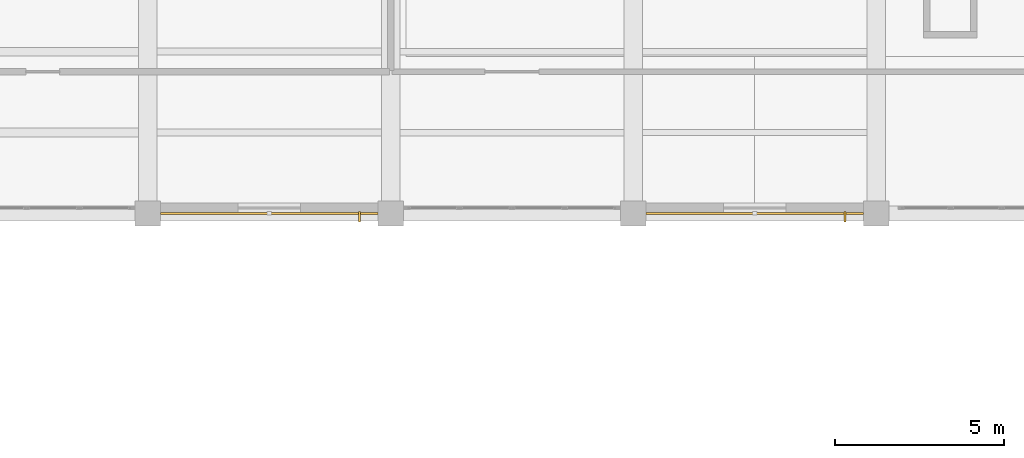
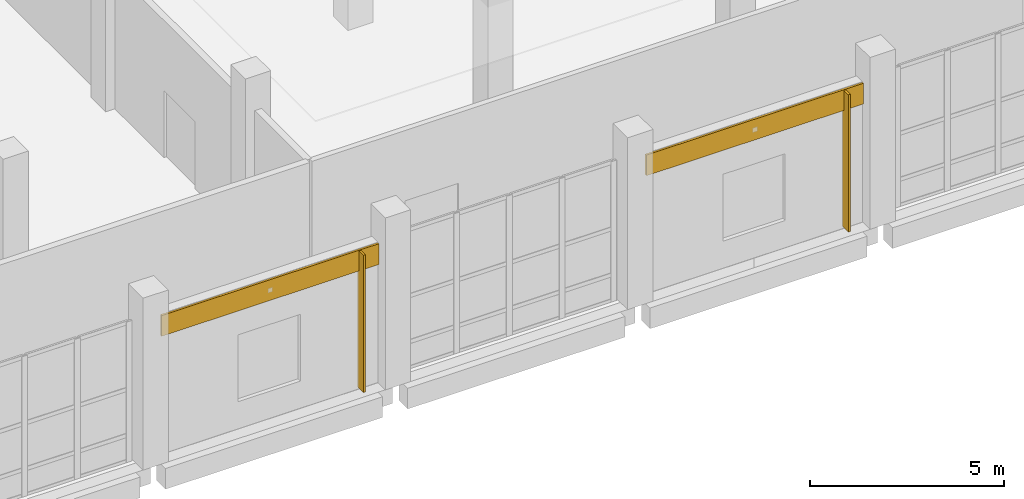
# One storey, part 127 of 137: 2 coverings, 2 shading devices.
"""IFC4 building model written with IfcOpenShell, lengths in metres."""

import ifcopenshell
import ifcopenshell.guid

model = None  # the IFC model being written
_history = None  # IfcOwnerHistory: only IFC2X3 demands one
_inside = {}  # id of a spatial element -> (the spatial element, [elements in it])
_under = {}  # id of a project, library or spatial element -> (it, [spatial elements below it])
_declared = {}  # id of a project -> (the project, [libraries it declares])
_typed = {}  # id of a type object -> (the type object, [elements of that type])
_made_of = {}  # id of a material, layer set ... -> (it, [elements and type objects made of it])


def new_model(schema):
    """Start an empty IFC model of exactly this schema.

    Asked for "IFC4X3", IfcOpenShell would pick the latest addendum, in which some entities
    have other attributes; the version numbers below select the first issue.
    IFC2X3 requires an IfcOwnerHistory on every rooted entity: one is made here for all.
    """
    global model, _history
    if schema == "IFC4X3":
        model = ifcopenshell.file(schema_version=(4, 3, 0, 0))
    else:
        model = ifcopenshell.file(schema=schema)
    _inside.clear()
    _under.clear()
    _declared.clear()
    _typed.clear()
    _made_of.clear()
    _history = None
    if model.schema == "IFC2X3":
        org = make("IfcOrganization", Name="unknown")
        user = make(
            "IfcPersonAndOrganization",
            ThePerson=make("IfcPerson", FamilyName="unknown"),
            TheOrganization=org,
        )
        app = make(
            "IfcApplication",
            ApplicationDeveloper=org,
            Version="unknown",
            ApplicationFullName="unknown",
            ApplicationIdentifier="unknown",
        )
        _history = make(
            "IfcOwnerHistory",
            OwningUser=user,
            OwningApplication=app,
            ChangeAction="ADDED",
            CreationDate=0,
        )
    return model


def make(cls, **values):
    """One entity of the class cls with the attributes given. An attribute that is None is left unset."""
    return model.create_entity(
        cls, **{name: value for name, value in values.items() if value is not None}
    )


def rooted(cls, **values):
    """An entity with a GlobalId (a new one), such as an element, a storey or a relation."""
    return make(cls, GlobalId=ifcopenshell.guid.new(), OwnerHistory=_history, **values)


def si_unit(unit_type, name, prefix=None):
    """IfcSIUnit, for example si_unit("LENGTHUNIT", "METRE", prefix="MILLI")."""
    return make("IfcSIUnit", UnitType=unit_type, Prefix=prefix, Name=name)


def assignment(units):
    """IfcUnitAssignment: the units of a project."""
    return None if units is None else make("IfcUnitAssignment", Units=units)


def point(xyz):
    """IfcCartesianPoint."""
    return None if xyz is None else make("IfcCartesianPoint", Coordinates=xyz)


def direction(xyz):
    """IfcDirection."""
    return None if xyz is None else make("IfcDirection", DirectionRatios=xyz)


def frame(location, z_axis=None, x_axis=None):
    """IfcAxis2Placement3D, a coordinate frame: its origin and axes. An axis left out is left unset."""
    return make(
        "IfcAxis2Placement3D",
        Location=point(location),
        Axis=direction(z_axis),
        RefDirection=direction(x_axis),
    )


def frame_2d(location, x_axis=None):
    """IfcAxis2Placement2D, a coordinate frame in the plane: its origin and x axis."""
    return make(
        "IfcAxis2Placement2D", Location=point(location), RefDirection=direction(x_axis)
    )


def origin():
    """The frame at (0, 0, 0) with its axes left unset."""
    return frame((0.0, 0.0, 0.0))


def origin_2d():
    """The frame at (0, 0) in the plane with its x axis left unset."""
    return frame_2d((0.0, 0.0))


def place(relative_to, where):
    """IfcLocalPlacement: puts the frame where relative to a parent placement (None: the world)."""
    return make(
        "IfcLocalPlacement", PlacementRelTo=relative_to, RelativePlacement=where
    )


def context(
    kind, dimensions, precision=None, world=None, true_north=None, identifier=None
):
    """IfcGeometricRepresentationContext, for example the 3D "Model" context."""
    return make(
        "IfcGeometricRepresentationContext",
        ContextIdentifier=identifier,
        ContextType=kind,
        CoordinateSpaceDimension=dimensions,
        Precision=precision,
        WorldCoordinateSystem=world,
        TrueNorth=true_north,
    )


def subcontext(parent, identifier, kind, view, scale=None):
    """IfcGeometricRepresentationSubContext, for example "Body" below "Model"."""
    return make(
        "IfcGeometricRepresentationSubContext",
        ContextIdentifier=identifier,
        ContextType=kind,
        ParentContext=parent,
        TargetScale=scale,
        TargetView=view,
    )


def project(units=None, contexts=None):
    """IfcProject with its units and contexts."""
    return rooted(
        "IfcProject",
        Name="project",
        RepresentationContexts=contexts,
        UnitsInContext=assignment(units),
    )


def spatial(cls, under=None, at=None, **own):
    """A site, building, storey or space (cls), placed at a placement, below another one or the project."""
    s = rooted(cls, ObjectPlacement=at, **own)
    if under is not None:
        _under.setdefault(under.id(), (under, []))[1].append(s)
    return s


def profile(cls, at=None, kind="AREA", **sizes):
    """A parametric profile (cls). Its sizes go by their IFC names, for example OverallWidth=200.0."""
    return make(cls, ProfileType=kind, Position=at, **sizes)


def rectangle(**sizes):
    """IfcRectangleProfileDef."""
    return profile("IfcRectangleProfileDef", **sizes)


def extrude(swept, where, along, depth):
    """IfcExtrudedAreaSolid: the profile swept, set in the frame where, extruded along a direction by depth."""
    return make(
        "IfcExtrudedAreaSolid",
        SweptArea=swept,
        Position=where,
        ExtrudedDirection=direction(along),
        Depth=depth,
    )


def shape(context_of_items, identifier, shape_type, items):
    """IfcShapeRepresentation: the items that make up one representation, for example the "Body"."""
    return make(
        "IfcShapeRepresentation",
        ContextOfItems=context_of_items,
        RepresentationIdentifier=identifier,
        RepresentationType=shape_type,
        Items=items,
    )


def material(Name=None, Category=None):
    """IfcMaterial."""
    return make("IfcMaterial", Name=Name, Category=Category)


def layer(
    of_material, thickness, ventilated=None, Name=None, Category=None, Priority=None
):
    """IfcMaterialLayer: one layer of a wall or slab, of a material (None: an air gap)."""
    return make(
        "IfcMaterialLayer",
        Material=of_material,
        LayerThickness=thickness,
        IsVentilated=ventilated,
        Name=Name,
        Category=Category,
        Priority=Priority,
    )


def layer_set(layers, Name=None):
    """IfcMaterialLayerSet."""
    return make("IfcMaterialLayerSet", MaterialLayers=layers, LayerSetName=Name)


def made_of(thing, what):
    """Note that an element or type object is made of a material, layer set ...; save() writes the relation."""
    if what is not None:
        _made_of.setdefault(what.id(), (what, []))[1].append(thing)
    return thing


def type_object(cls, material=None, **own):
    """A type object (cls), such as IfcWallType, which elements share."""
    return made_of(rooted(cls, **own), material)


def element(
    cls,
    number,
    at=None,
    inside=None,
    cuts=None,
    type_object=None,
    material=None,
    context=None,
    identifier="Body",
    shape_type=None,
    held_by="IfcProductDefinitionShape",
    body=None,
    shapes=None,
    **own,
):
    """One element of the class cls, such as IfcWall. Its Tag is "e" and its number.

    at: its placement. inside: the storey or other place that contains it. cuts: it is an
    opening in that element (IfcRelVoidsElement). A single representation is given by context,
    identifier, shape_type and body (its items); several are given by shapes. held_by: the class
    of the entity that holds the representations. save() writes the other relations.
    """
    e = rooted(cls, Tag="e%d" % number, ObjectPlacement=at, **own)
    if body is not None:
        shapes = [shape(context, identifier, shape_type, body)]
    if shapes is not None:
        e.Representation = make(held_by, Representations=shapes)
    if inside is not None:
        _inside.setdefault(inside.id(), (inside, []))[1].append(e)
    if cuts is not None:
        rooted(
            "IfcRelVoidsElement", RelatingBuildingElement=cuts, RelatedOpeningElement=e
        )
    if type_object is not None:
        _typed.setdefault(type_object.id(), (type_object, []))[1].append(e)
    return made_of(e, material)


def aggregate(whole, parts):
    """IfcRelAggregates: a whole, such as a stair, and the parts it consists of."""
    return rooted("IfcRelAggregates", RelatingObject=whole, RelatedObjects=parts)


def save(model, path):
    """Write the relations noted so far, then the file.

    IfcRelAggregates (storeys below a building ...), IfcRelContainedInSpatialStructure (elements
    in a storey), IfcRelDefinesByType, IfcRelAssociatesMaterial and IfcRelDeclares: one each for
    every whole, place, type object, material and project.
    """
    for whole, parts in _under.values():
        aggregate(whole, parts)
    for where, things in _inside.values():
        rooted(
            "IfcRelContainedInSpatialStructure",
            RelatedElements=things,
            RelatingStructure=where,
        )
    for kind, things in _typed.values():
        rooted("IfcRelDefinesByType", RelatedObjects=things, RelatingType=kind)
    for what, things in _made_of.values():
        rooted("IfcRelAssociatesMaterial", RelatedObjects=things, RelatingMaterial=what)
    for by, libraries in _declared.values():
        rooted("IfcRelDeclares", RelatingContext=by, RelatedDefinitions=libraries)
    model.write(path)


model = new_model("IFC4")

# Units and contexts
model_context = context("Model", 3, precision=1e-05, world=origin(), true_north=direction((0.0, 1.0)))
body_context = subcontext(model_context, "Body", "Model", "MODEL_VIEW")
ifc_project = project(units=[si_unit("LENGTHUNIT", "METRE"), si_unit("AREAUNIT", "SQUARE_METRE"), si_unit("VOLUMEUNIT", "CUBIC_METRE"), si_unit("PLANEANGLEUNIT", "RADIAN"), si_unit("MASSUNIT", "GRAM", prefix="KILO")], contexts=[model_context])

# Site, building, storey
site_placement = place(None, origin())
site = spatial("IfcSite", under=ifc_project, at=site_placement, CompositionType="ELEMENT")
building_placement = place(site_placement, origin())
building = spatial("IfcBuilding", under=site, at=building_placement, Name="Kalmorath City Hall", CompositionType="ELEMENT")
storey_placement = place(building_placement, origin())
storey = spatial("IfcBuildingStorey", under=building, at=storey_placement, Name="L00", CompositionType="ELEMENT", Elevation=0.0)

# Shading devices
ifc_material_1 = material(Name="Bronze anodised aluminium", Category="aluminium")
ifc_layer_1 = layer(ifc_material_1, 0.06005859375)
ifc_layer_set_1 = layer_set([ifc_layer_1], Name="Bronze anodised aluminium")
shading_device_type = type_object("IfcShadingDeviceType", Name="Bronze vertical solar fin 320", PredefinedType="USERDEFINED", material=ifc_layer_set_1)
for number, where, z_axis, x_axis, name in (
    (1, (56.674072265625, 93.5, 0.050048828125), (0.0, 0.0, 1.0), (-1.0, 0.0, 0.0), "L00 bronze solar fin #75"),
    (2, (42.27392578125, 93.5, 0.050048828125), (0.0, 0.0, 1.0), (-1.0, 0.0, 0.0), "L00 bronze solar fin #76"),
):
    element("IfcShadingDevice", number, at=place(storey_placement, frame(where, z_axis=z_axis, x_axis=x_axis)), inside=storey, type_object=shading_device_type, Name=name, ObjectType="FIN", PredefinedType="USERDEFINED", context=body_context, shape_type="SweptSolid", body=[
        extrude(rectangle(XDim=0.06005859375, YDim=0.320068359375, at=origin_2d()), origin(), (0.0, 0.0, 1.0), 4.31103515625),
    ])

# Coverings
ifc_material_2 = material(Name="Volcanic basalt stone cladding", Category="masonry")
ifc_layer_2 = layer(ifc_material_2, 0.06005859375)
ifc_layer_set_2 = layer_set([ifc_layer_2], Name="Volcanic basalt stone cladding")
covering_type = type_object("IfcCoveringType", Name="Volcanic basalt stone rainscreen cladding", PredefinedType="CLADDING", material=ifc_layer_set_2)
for number, where, z_axis, x_axis, name in (
    (3, (54.0, 93.594970703125, 3.736083984375), (0.0, 0.0, 1.0), (-1.0, 0.0, 0.0), "L00 basalt spandrel cladding #18"),
    (4, (39.60009765625, 93.594970703125, 3.736083984375), (0.0, 0.0, 1.0), (-1.0, 0.0, 0.0), "L00 basalt spandrel cladding #19"),
):
    element("IfcCovering", number, at=place(storey_placement, frame(where, z_axis=z_axis, x_axis=x_axis)), inside=storey, type_object=covering_type, Name=name, PredefinedType="CLADDING", context=body_context, shape_type="SweptSolid", body=[
        extrude(rectangle(XDim=6.447998046875, YDim=0.06005859375, at=origin_2d()), origin(), (0.0, 0.0, 1.0), 0.64990234375),
    ])

save(model, "model.ifc")
